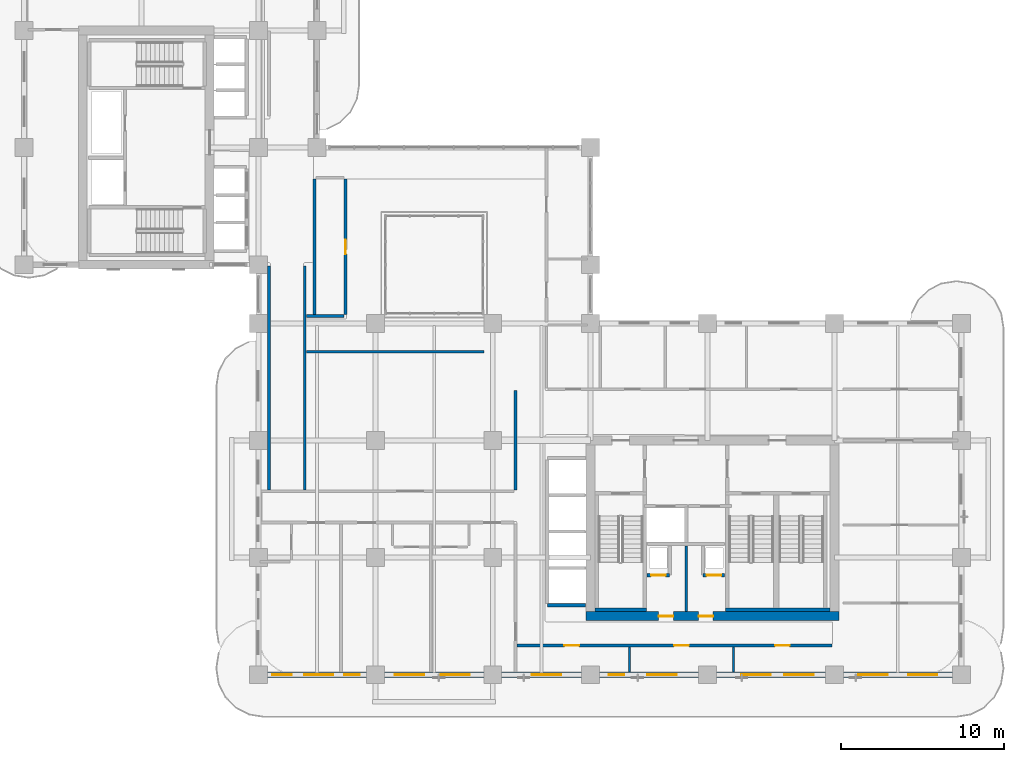
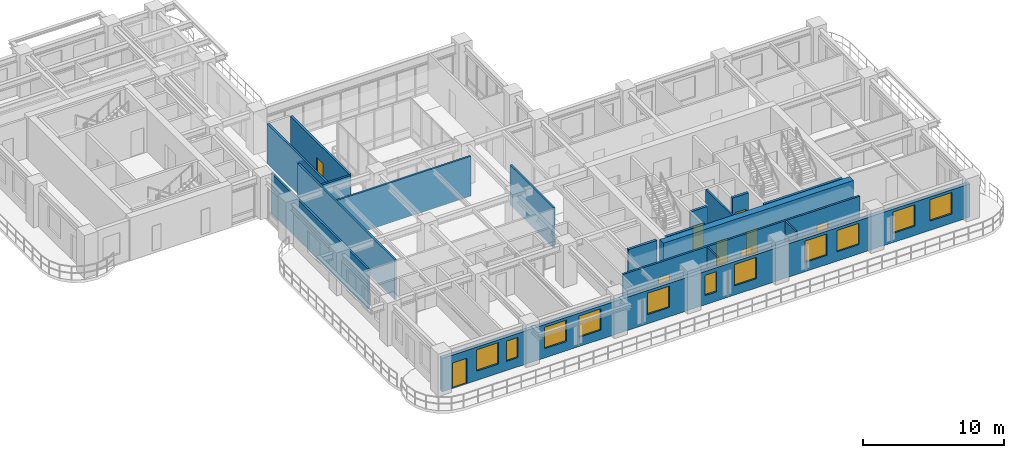
# One storey, part 13 of 22: 18 walls, 11 windows, 9 doors, 20 openings.
"""IFC4 building model written with IfcOpenShell, lengths in metres."""

from ifc_helpers import new_model, si_unit, derived_unit, direction, frame, frame_2d, origin, place, context, subcontext, project, spatial, rectangle, extrude, source, transform, mapped, material, layer, layer_set, type_object, type_shapes, element, fill, save


model = new_model("IFC4")

# Units and contexts
model_context = context("Model", 3, precision=1e-05, world=origin(), true_north=direction((0.0, 1.0)))
body_context = subcontext(model_context, "Body", "Model", "MODEL_VIEW")
ifc_project = project(units=[si_unit("LENGTHUNIT", "METRE"), si_unit("AREAUNIT", "SQUARE_METRE"), si_unit("VOLUMEUNIT", "CUBIC_METRE"), si_unit("PLANEANGLEUNIT", "RADIAN"), si_unit("MASSUNIT", "GRAM", prefix="KILO"), si_unit("THERMODYNAMICTEMPERATUREUNIT", "KELVIN"), si_unit("POWERUNIT", "WATT"), derived_unit("THERMALTRANSMITTANCEUNIT", [(si_unit("POWERUNIT", "WATT"), 1), (si_unit("AREAUNIT", "SQUARE_METRE"), -1), (si_unit("THERMODYNAMICTEMPERATUREUNIT", "KELVIN"), -1)])], contexts=[model_context])

# Site, building, storey
site_placement = place(None, origin())
site = spatial("IfcSite", under=ifc_project, at=site_placement, CompositionType="ELEMENT")
building_placement = place(site_placement, origin())
building = spatial("IfcBuilding", under=site, at=building_placement, Name="Zahravan Archway Hotel and Residences", CompositionType="ELEMENT")
storey_placement = place(building_placement, frame((0.0, 0.0, 76.800048828125)))
storey = spatial("IfcBuildingStorey", under=building, at=storey_placement, Name="L18", CompositionType="ELEMENT", Elevation=76.800048828125)

# Wall, openings, doors
ifc_material_1 = material(Name="Concrete C70/85", Category="concrete")
ifc_layer_1 = layer(ifc_material_1, 0.550048828125, Name="Concrete C70/85", Category="concrete")
ifc_layer_set_1 = layer_set([ifc_layer_1], Name="Concrete C70/85")
wall_type_1 = type_object("IfcWallType", Name="CW-CORE-550", PredefinedType="SHEAR", material=ifc_layer_set_1)
wall_1_placement = place(storey_placement, frame((34.52490234375, 3.60009765625, 0.0), z_axis=(0.0, 0.0, 1.0), x_axis=(1.0, 0.0, 0.0)))
wall_1 = element("IfcWall", 1, at=wall_1_placement, inside=storey, type_object=wall_type_1, Name="L18 Core A Shear S Wall 550 mm", PredefinedType="SHEAR", context=body_context, shape_type="SweptSolid", body=[
    extrude(rectangle(XDim=15.550048828125, YDim=0.550048828125, at=frame_2d((7.77490234375, 0.0))), origin(), (0.0, 0.0, 1.0), 3.699951171875),
])
opening_1_placement = place(wall_1_placement, frame((4.47509765625, 0.0, 0.0)))
opening_1 = element("IfcOpeningElement", 2, at=opening_1_placement, cuts=wall_1, Name="Opening FD-R1", PredefinedType="OPENING", context=body_context, shape_type="SweptSolid", body=[
    extrude(rectangle(XDim=0.89990234375, YDim=2.10009765625, at=frame_2d((0.449951171875, 1.050048828125))), frame((0.0, 0.28515625, 0.0), z_axis=(0.0, -1.0, 0.0), x_axis=(1.0, 0.0, 0.0)), (0.0, 0.0, 1.0), 0.570068359375),
])
opening_2_placement = place(wall_1_placement, frame((6.925048828125, 0.0, 0.0)))
opening_2 = element("IfcOpeningElement", 3, at=opening_2_placement, cuts=wall_1, Name="Opening FD-R1", PredefinedType="OPENING", context=body_context, shape_type="SweptSolid", body=[
    extrude(rectangle(XDim=0.89990234375, YDim=2.10009765625, at=frame_2d((0.449951171875, 1.050048828125))), frame((0.0, 0.28515625, 0.0), z_axis=(0.0, -1.0, 0.0), x_axis=(1.0, 0.0, 0.0)), (0.0, 0.0, 1.0), 0.570068359375),
])
ifc_material_2 = material(Name="Fire-Rated Painted Steel", Category="steel")
door_type_1 = type_object("IfcDoorType", Name="FD-RISER-900", OperationType="NOTDEFINED", PredefinedType="DOOR", material=ifc_material_2)
shared_shape_1 = source(origin(), body_context, "Body", "SweptSolid", [
    extrude(rectangle(XDim=0.89990234375, YDim=2.10009765625, at=frame_2d((0.449951171875, 1.050048828125))), frame((0.0, 0.02490234375, 0.0), z_axis=(0.0, -1.0, 0.0), x_axis=(1.0, 0.0, 0.0)), (0.0, 0.0, 1.0), 0.050048828125),
])
type_shapes(door_type_1, [shared_shape_1])
door_1_placement = place(opening_1_placement, origin())
door_1 = element("IfcDoor", 4, at=door_1_placement, inside=storey, type_object=door_type_1, Name="L18 Electrical Switchgear Door", OperationType="SINGLE_SWING_RIGHT", OverallHeight=2.10009765625, OverallWidth=0.89990234375, PredefinedType="DOOR", context=body_context, shape_type="MappedRepresentation", body=[
    mapped(shared_shape_1, transform((0.0, 0.0, 0.0), scale=1.0)),
])
fill(opening_1, door_1)
door_2_placement = place(opening_2_placement, origin())
door_2 = element("IfcDoor", 5, at=door_2_placement, inside=storey, type_object=door_type_1, Name="L18 Telecom BMS Door", OperationType="SINGLE_SWING_LEFT", OverallHeight=2.10009765625, OverallWidth=0.89990234375, PredefinedType="DOOR", context=body_context, shape_type="MappedRepresentation", body=[
    mapped(shared_shape_1, transform((0.0, 0.0, 0.0), scale=1.0)),
])
fill(opening_2, door_2)

# Wall, openings, door, windows
ifc_material_3 = material(Name="Agra Buff Sandstone & Insulated Backup", Category="masonry")
ifc_layer_2 = layer(ifc_material_3, 0.320068359375, Name="Agra Buff Sandstone & Insulated Backup", Category="masonry")
ifc_layer_set_2 = layer_set([ifc_layer_2], Name="Agra Buff Sandstone & Insulated Backup")
wall_type_2 = type_object("IfcWallType", Name="EW-SAND-320", PredefinedType="SOLIDWALL", material=ifc_layer_set_2)
wall_2_placement = place(storey_placement, frame((14.39990234375, 0.0, 0.0), z_axis=(0.0, 0.0, 1.0), x_axis=(1.0, 0.0, 0.0)))
wall_2 = element("IfcWall", 6, at=wall_2_placement, inside=storey, type_object=wall_type_2, Name="L18 Exterior Sandstone Wall WA-S", PredefinedType="SOLIDWALL", context=body_context, shape_type="SweptSolid", body=[
    extrude(rectangle(XDim=43.2001953125, YDim=0.320068359375, at=frame_2d((21.60009765625, 0.0))), origin(), (0.0, 0.0, 1.0), 2.885009765625),
])
opening_3_placement = place(wall_2_placement, frame((0.85009765625, 0.0, 0.0)))
opening_3 = element("IfcOpeningElement", 7, at=opening_3_placement, cuts=wall_2, Name="Opening ED-BL1", PredefinedType="OPENING", context=body_context, shape_type="SweptSolid", body=[
    extrude(rectangle(XDim=1.199951171875, YDim=2.199951171875, at=frame_2d((0.60009765625, 1.10009765625))), frame((0.0, 0.169921875, 0.0), z_axis=(0.0, -1.0, 0.0), x_axis=(1.0, 0.0, 0.0)), (0.0, 0.0, 1.0), 0.340087890625),
])
opening_4_placement = place(wall_2_placement, frame((2.81103515625, 0.0, 0.800048828125)))
opening_4 = element("IfcOpeningElement", 8, at=opening_4_placement, cuts=wall_2, Name="Opening W-02", PredefinedType="OPENING", context=body_context, shape_type="SweptSolid", body=[
    extrude(rectangle(XDim=1.800048828125, YDim=1.85009765625, at=frame_2d((0.89990234375, 0.925048828125))), frame((0.0, 0.169921875, 0.0), z_axis=(0.0, -1.0, 0.0), x_axis=(1.0, 0.0, 0.0)), (0.0, 0.0, 1.0), 0.340087890625),
])
opening_5_placement = place(wall_2_placement, frame((5.26904296875, 0.0, 0.800048828125)))
opening_5 = element("IfcOpeningElement", 9, at=opening_5_placement, cuts=wall_2, Name="Opening W-04", PredefinedType="OPENING", context=body_context, shape_type="SweptSolid", body=[
    extrude(rectangle(XDim=0.949951171875, YDim=1.75, at=frame_2d((0.47509765625, 0.875))), frame((0.0, 0.169921875, 0.0), z_axis=(0.0, -1.0, 0.0), x_axis=(1.0, 0.0, 0.0)), (0.0, 0.0, 1.0), 0.340087890625),
])
opening_6_placement = place(wall_2_placement, frame((8.388916015625, 0.0, 0.800048828125)))
opening_6 = element("IfcOpeningElement", 10, at=opening_6_placement, cuts=wall_2, Name="Opening W-02", PredefinedType="OPENING", context=body_context, shape_type="SweptSolid", body=[
    extrude(rectangle(XDim=1.800048828125, YDim=1.85009765625, at=frame_2d((0.89990234375, 0.925048828125))), frame((0.0, 0.169921875, 0.0), z_axis=(0.0, -1.0, 0.0), x_axis=(1.0, 0.0, 0.0)), (0.0, 0.0, 1.0), 0.340087890625),
])
opening_7_placement = place(wall_2_placement, frame((11.197021484375, 0.0, 0.800048828125)))
opening_7 = element("IfcOpeningElement", 11, at=opening_7_placement, cuts=wall_2, Name="Opening W-02", PredefinedType="OPENING", context=body_context, shape_type="SweptSolid", body=[
    extrude(rectangle(XDim=1.800048828125, YDim=1.85009765625, at=frame_2d((0.89990234375, 0.925048828125))), frame((0.0, 0.169921875, 0.0), z_axis=(0.0, -1.0, 0.0), x_axis=(1.0, 0.0, 0.0)), (0.0, 0.0, 1.0), 0.340087890625),
])
opening_8_placement = place(wall_2_placement, frame((16.803955078125, 0.0, 0.800048828125)))
opening_8 = element("IfcOpeningElement", 12, at=opening_8_placement, cuts=wall_2, Name="Opening W-02", PredefinedType="OPENING", context=body_context, shape_type="SweptSolid", body=[
    extrude(rectangle(XDim=1.800048828125, YDim=1.85009765625, at=frame_2d((0.89990234375, 0.925048828125))), frame((0.0, 0.169921875, 0.0), z_axis=(0.0, -1.0, 0.0), x_axis=(1.0, 0.0, 0.0)), (0.0, 0.0, 1.0), 0.340087890625),
])
opening_9_placement = place(wall_2_placement, frame((21.52099609375, 0.0, 0.800048828125)))
opening_9 = element("IfcOpeningElement", 13, at=opening_9_placement, cuts=wall_2, Name="Opening W-04", PredefinedType="OPENING", context=body_context, shape_type="SweptSolid", body=[
    extrude(rectangle(XDim=0.949951171875, YDim=1.75, at=frame_2d((0.47509765625, 0.875))), frame((0.0, 0.169921875, 0.0), z_axis=(0.0, -1.0, 0.0), x_axis=(1.0, 0.0, 0.0)), (0.0, 0.0, 1.0), 0.340087890625),
])
opening_10_placement = place(wall_2_placement, frame((23.904052734375, 0.0, 0.800048828125)))
opening_10 = element("IfcOpeningElement", 14, at=opening_10_placement, cuts=wall_2, Name="Opening W-02", PredefinedType="OPENING", context=body_context, shape_type="SweptSolid", body=[
    extrude(rectangle(XDim=1.800048828125, YDim=1.85009765625, at=frame_2d((0.89990234375, 0.925048828125))), frame((0.0, 0.169921875, 0.0), z_axis=(0.0, -1.0, 0.0), x_axis=(1.0, 0.0, 0.0)), (0.0, 0.0, 1.0), 0.340087890625),
])
opening_11_placement = place(wall_2_placement, frame((29.680908203125, 0.0, 0.800048828125)))
opening_11 = element("IfcOpeningElement", 15, at=opening_11_placement, cuts=wall_2, Name="Opening W-02", PredefinedType="OPENING", context=body_context, shape_type="SweptSolid", body=[
    extrude(rectangle(XDim=1.800048828125, YDim=1.85009765625, at=frame_2d((0.89990234375, 0.925048828125))), frame((0.0, 0.169921875, 0.0), z_axis=(0.0, -1.0, 0.0), x_axis=(1.0, 0.0, 0.0)), (0.0, 0.0, 1.0), 0.340087890625),
])
opening_12_placement = place(wall_2_placement, frame((32.326904296875, 0.0, 0.800048828125)))
opening_12 = element("IfcOpeningElement", 16, at=opening_12_placement, cuts=wall_2, Name="Opening W-02", PredefinedType="OPENING", context=body_context, shape_type="SweptSolid", body=[
    extrude(rectangle(XDim=1.800048828125, YDim=1.85009765625, at=frame_2d((0.89990234375, 0.925048828125))), frame((0.0, 0.169921875, 0.0), z_axis=(0.0, -1.0, 0.0), x_axis=(1.0, 0.0, 0.0)), (0.0, 0.0, 1.0), 0.340087890625),
])
opening_13_placement = place(wall_2_placement, frame((36.875, 0.0, 0.800048828125)))
opening_13 = element("IfcOpeningElement", 17, at=opening_13_placement, cuts=wall_2, Name="Opening W-02", PredefinedType="OPENING", context=body_context, shape_type="SweptSolid", body=[
    extrude(rectangle(XDim=1.800048828125, YDim=1.85009765625, at=frame_2d((0.89990234375, 0.925048828125))), frame((0.0, 0.169921875, 0.0), z_axis=(0.0, -1.0, 0.0), x_axis=(1.0, 0.0, 0.0)), (0.0, 0.0, 1.0), 0.340087890625),
])
opening_14_placement = place(wall_2_placement, frame((39.925048828125, 0.0, 0.800048828125)))
opening_14 = element("IfcOpeningElement", 18, at=opening_14_placement, cuts=wall_2, Name="Opening W-02", PredefinedType="OPENING", context=body_context, shape_type="SweptSolid", body=[
    extrude(rectangle(XDim=1.800048828125, YDim=1.85009765625, at=frame_2d((0.89990234375, 0.925048828125))), frame((0.0, 0.169921875, 0.0), z_axis=(0.0, -1.0, 0.0), x_axis=(1.0, 0.0, 0.0)), (0.0, 0.0, 1.0), 0.340087890625),
])
ifc_material_4 = material(Name="Bronze-Anodized Glazed Aluminium", Category="aluminium")
door_type_2 = type_object("IfcDoorType", Name="ED-BALC-1200", OperationType="SLIDING_TO_LEFT", PredefinedType="DOOR", material=ifc_material_4)
shared_shape_2 = source(origin(), body_context, "Body", "SweptSolid", [
    extrude(rectangle(XDim=1.199951171875, YDim=2.199951171875, at=frame_2d((0.60009765625, 1.10009765625))), frame((0.0, 0.02490234375, 0.0), z_axis=(0.0, -1.0, 0.0), x_axis=(1.0, 0.0, 0.0)), (0.0, 0.0, 1.0), 0.050048828125),
])
type_shapes(door_type_2, [shared_shape_2])
door_3_placement = place(opening_3_placement, origin())
door_3 = element("IfcDoor", 19, at=door_3_placement, inside=storey, type_object=door_type_2, Name="L18 Outdoor Access Sliding Door (SLB-BAL-L18-SA)", OperationType="SLIDING_TO_LEFT", OverallHeight=2.199951171875, OverallWidth=1.199951171875, PredefinedType="DOOR", context=body_context, shape_type="MappedRepresentation", body=[
    mapped(shared_shape_2, transform((0.0, 0.0, 0.0), scale=1.0)),
])
fill(opening_3, door_3)
ifc_material_5 = material(Name="Bronze-Anodized Thermal-Break Aluminium & Low-E Glass", Category="aluminium")
window_type_1 = type_object("IfcWindowType", Name="WIN-NAR-950", PartitioningType="SINGLE_PANEL", PredefinedType="WINDOW", material=ifc_material_5)
shared_shape_3 = source(origin(), body_context, "Body", "SweptSolid", [
    extrude(rectangle(XDim=0.949951171875, YDim=1.75, at=frame_2d((0.47509765625, 0.875))), frame((0.0, 0.030029296875, 0.0), z_axis=(0.0, -1.0, 0.0), x_axis=(1.0, 0.0, 0.0)), (0.0, 0.0, 1.0), 0.06005859375),
])
type_shapes(window_type_1, [shared_shape_3])
window_1_placement = place(opening_5_placement, origin())
window_1 = element("IfcWindow", 20, at=window_1_placement, inside=storey, type_object=window_type_1, Name="L18 Loggia Window 02", OverallHeight=1.75, OverallWidth=0.949951171875, PartitioningType="SINGLE_PANEL", PredefinedType="WINDOW", context=body_context, shape_type="MappedRepresentation", body=[
    mapped(shared_shape_3, transform((0.0, 0.0, 0.0), scale=1.0)),
])
fill(opening_5, window_1)
window_2_placement = place(opening_9_placement, origin())
window_2 = element("IfcWindow", 21, at=window_2_placement, inside=storey, type_object=window_type_1, Name="L18 Loggia Window 06", OverallHeight=1.75, OverallWidth=0.949951171875, PartitioningType="SINGLE_PANEL", PredefinedType="WINDOW", context=body_context, shape_type="MappedRepresentation", body=[
    mapped(shared_shape_3, transform((0.0, 0.0, 0.0), scale=1.0)),
])
fill(opening_9, window_2)
window_type_2 = type_object("IfcWindowType", Name="WIN-TWR-1800", PartitioningType="DOUBLE_PANEL_VERTICAL", PredefinedType="WINDOW", material=ifc_material_5)
shared_shape_4 = source(origin(), body_context, "Body", "SweptSolid", [
    extrude(rectangle(XDim=1.800048828125, YDim=1.85009765625, at=frame_2d((0.89990234375, 0.925048828125))), frame((0.0, 0.030029296875, 0.0), z_axis=(0.0, -1.0, 0.0), x_axis=(1.0, 0.0, 0.0)), (0.0, 0.0, 1.0), 0.06005859375),
])
type_shapes(window_type_2, [shared_shape_4])
window_3_placement = place(opening_4_placement, origin())
window_3 = element("IfcWindow", 22, at=window_3_placement, inside=storey, type_object=window_type_2, Name="L18 Loggia Window 01", OverallHeight=1.85009765625, OverallWidth=1.800048828125, PartitioningType="DOUBLE_PANEL_VERTICAL", PredefinedType="WINDOW", context=body_context, shape_type="MappedRepresentation", body=[
    mapped(shared_shape_4, transform((0.0, 0.0, 0.0), scale=1.0)),
])
fill(opening_4, window_3)
window_4_placement = place(opening_6_placement, origin())
window_4 = element("IfcWindow", 23, at=window_4_placement, inside=storey, type_object=window_type_2, Name="L18 Loggia Window 03", OverallHeight=1.85009765625, OverallWidth=1.800048828125, PartitioningType="DOUBLE_PANEL_VERTICAL", PredefinedType="WINDOW", context=body_context, shape_type="MappedRepresentation", body=[
    mapped(shared_shape_4, transform((0.0, 0.0, 0.0), scale=1.0)),
])
fill(opening_6, window_4)
window_5_placement = place(opening_7_placement, origin())
window_5 = element("IfcWindow", 24, at=window_5_placement, inside=storey, type_object=window_type_2, Name="L18 Loggia Window 04", OverallHeight=1.85009765625, OverallWidth=1.800048828125, PartitioningType="DOUBLE_PANEL_VERTICAL", PredefinedType="WINDOW", context=body_context, shape_type="MappedRepresentation", body=[
    mapped(shared_shape_4, transform((0.0, 0.0, 0.0), scale=1.0)),
])
fill(opening_7, window_5)
window_6_placement = place(opening_8_placement, origin())
window_6 = element("IfcWindow", 25, at=window_6_placement, inside=storey, type_object=window_type_2, Name="L18 Loggia Window 05", OverallHeight=1.85009765625, OverallWidth=1.800048828125, PartitioningType="DOUBLE_PANEL_VERTICAL", PredefinedType="WINDOW", context=body_context, shape_type="MappedRepresentation", body=[
    mapped(shared_shape_4, transform((0.0, 0.0, 0.0), scale=1.0)),
])
fill(opening_8, window_6)
window_7_placement = place(opening_10_placement, origin())
window_7 = element("IfcWindow", 26, at=window_7_placement, inside=storey, type_object=window_type_2, Name="L18 Loggia Window 07", OverallHeight=1.85009765625, OverallWidth=1.800048828125, PartitioningType="DOUBLE_PANEL_VERTICAL", PredefinedType="WINDOW", context=body_context, shape_type="MappedRepresentation", body=[
    mapped(shared_shape_4, transform((0.0, 0.0, 0.0), scale=1.0)),
])
fill(opening_10, window_7)
window_8_placement = place(opening_11_placement, origin())
window_8 = element("IfcWindow", 27, at=window_8_placement, inside=storey, type_object=window_type_2, Name="L18 Loggia Window 08", OverallHeight=1.85009765625, OverallWidth=1.800048828125, PartitioningType="DOUBLE_PANEL_VERTICAL", PredefinedType="WINDOW", context=body_context, shape_type="MappedRepresentation", body=[
    mapped(shared_shape_4, transform((0.0, 0.0, 0.0), scale=1.0)),
])
fill(opening_11, window_8)
window_9_placement = place(opening_12_placement, origin())
window_9 = element("IfcWindow", 28, at=window_9_placement, inside=storey, type_object=window_type_2, Name="L18 Loggia Window 09", OverallHeight=1.85009765625, OverallWidth=1.800048828125, PartitioningType="DOUBLE_PANEL_VERTICAL", PredefinedType="WINDOW", context=body_context, shape_type="MappedRepresentation", body=[
    mapped(shared_shape_4, transform((0.0, 0.0, 0.0), scale=1.0)),
])
fill(opening_12, window_9)
window_10_placement = place(opening_13_placement, origin())
window_10 = element("IfcWindow", 29, at=window_10_placement, inside=storey, type_object=window_type_2, Name="L18 Loggia Window 10", OverallHeight=1.85009765625, OverallWidth=1.800048828125, PartitioningType="DOUBLE_PANEL_VERTICAL", PredefinedType="WINDOW", context=body_context, shape_type="MappedRepresentation", body=[
    mapped(shared_shape_4, transform((0.0, 0.0, 0.0), scale=1.0)),
])
fill(opening_13, window_10)
window_11_placement = place(opening_14_placement, origin())
window_11 = element("IfcWindow", 30, at=window_11_placement, inside=storey, type_object=window_type_2, Name="L18 Loggia Window 11", OverallHeight=1.85009765625, OverallWidth=1.800048828125, PartitioningType="DOUBLE_PANEL_VERTICAL", PredefinedType="WINDOW", context=body_context, shape_type="MappedRepresentation", body=[
    mapped(shared_shape_4, transform((0.0, 0.0, 0.0), scale=1.0)),
])
fill(opening_14, window_11)

# Wall
ifc_material_6 = material(Name="Fire-Rated Gypsum & Concrete Block", Category="concrete")
ifc_layer_3 = layer(ifc_material_6, 0.159912109375, Name="Fire-Rated Gypsum & Concrete Block", Category="concrete")
ifc_layer_set_3 = layer_set([ifc_layer_3], Name="Fire-Rated Gypsum & Concrete Block")
wall_type_3 = type_object("IfcWallType", Name="PW-CORR-160", PredefinedType="PARTITIONING", material=ifc_layer_set_3)
wall_3_placement = place(storey_placement, frame((30.199951171875, 11.360107421875, 0.0), z_axis=(0.0, 0.0, 1.0), x_axis=(0.0, 1.0, 0.0)))
element("IfcWall", 31, at=wall_3_placement, inside=storey, type_object=wall_type_3, Name="L18 Partition WA-FW", PredefinedType="PARTITIONING", context=body_context, shape_type="SweptSolid", body=[
    extrude(rectangle(XDim=6.099853515625, YDim=0.159912109375, at=frame_2d((3.0498046875, 0.0))), origin(), (0.0, 0.0, 1.0), 3.449951171875),
])

# Wall, openings, doors
wall_4_placement = place(storey_placement, frame((30.2900390625, 1.800048828125, 0.0), z_axis=(0.0, 0.0, 1.0), x_axis=(1.0, 0.0, 0.0)))
wall_4 = element("IfcWall", 32, at=wall_4_placement, inside=storey, type_object=wall_type_3, Name="L18 Partition WA-SRS", PredefinedType="PARTITIONING", context=body_context, shape_type="SweptSolid", body=[
    extrude(rectangle(XDim=19.369873046875, YDim=0.159912109375, at=frame_2d((9.68505859375, 0.0))), origin(), (0.0, 0.0, 1.0), 3.449951171875),
])
opening_15_placement = place(wall_4_placement, frame((2.916259765625, 0.0, 0.0)))
opening_15 = element("IfcOpeningElement", 33, at=opening_15_placement, cuts=wall_4, Name="Opening D-I2", PredefinedType="OPENING", context=body_context, shape_type="SweptSolid", body=[
    extrude(rectangle(XDim=0.89990234375, YDim=2.14990234375, at=frame_2d((0.449951171875, 1.074951171875))), frame((0.0, 0.08984375, 0.0), z_axis=(0.0, -1.0, 0.0), x_axis=(1.0, 0.0, 0.0)), (0.0, 0.0, 1.0), 0.179931640625),
])
opening_16_placement = place(wall_4_placement, frame((9.659912109375, 0.0, 0.0)))
opening_16 = element("IfcOpeningElement", 34, at=opening_16_placement, cuts=wall_4, Name="Opening D-I2", PredefinedType="OPENING", context=body_context, shape_type="SweptSolid", body=[
    extrude(rectangle(XDim=0.89990234375, YDim=2.14990234375, at=frame_2d((0.449951171875, 1.074951171875))), frame((0.0, 0.08984375, 0.0), z_axis=(0.0, -1.0, 0.0), x_axis=(1.0, 0.0, 0.0)), (0.0, 0.0, 1.0), 0.179931640625),
])
opening_17_placement = place(wall_4_placement, frame((15.860107421875, 0.0, 0.0)))
opening_17 = element("IfcOpeningElement", 35, at=opening_17_placement, cuts=wall_4, Name="Opening D-I2", PredefinedType="OPENING", context=body_context, shape_type="SweptSolid", body=[
    extrude(rectangle(XDim=0.89990234375, YDim=2.14990234375, at=frame_2d((0.449951171875, 1.074951171875))), frame((0.0, 0.08984375, 0.0), z_axis=(0.0, -1.0, 0.0), x_axis=(1.0, 0.0, 0.0)), (0.0, 0.0, 1.0), 0.179931640625),
])
ifc_material_7 = material(Name="Hardwood Veneer Timber", Category="wood")
door_type_3 = type_object("IfcDoorType", Name="ID-INT-900", OperationType="NOTDEFINED", PredefinedType="DOOR", material=ifc_material_7)
shared_shape_5 = source(origin(), body_context, "Body", "SweptSolid", [
    extrude(rectangle(XDim=0.89990234375, YDim=2.14990234375, at=frame_2d((0.449951171875, 1.074951171875))), frame((0.0, 0.02490234375, 0.0), z_axis=(0.0, -1.0, 0.0), x_axis=(1.0, 0.0, 0.0)), (0.0, 0.0, 1.0), 0.050048828125),
])
type_shapes(door_type_3, [shared_shape_5])
door_4_placement = place(opening_15_placement, origin())
door_4 = element("IfcDoor", 36, at=door_4_placement, inside=storey, type_object=door_type_3, Name="L18 South Office Door", OperationType="SINGLE_SWING_RIGHT", OverallHeight=2.14990234375, OverallWidth=0.89990234375, PredefinedType="DOOR", context=body_context, shape_type="MappedRepresentation", body=[
    mapped(shared_shape_5, transform((0.0, 0.0, 0.0), scale=1.0)),
])
fill(opening_15, door_4)
door_5_placement = place(opening_16_placement, origin())
door_5 = element("IfcDoor", 37, at=door_5_placement, inside=storey, type_object=door_type_3, Name="L18 South Meeting Door", OperationType="SINGLE_SWING_LEFT", OverallHeight=2.14990234375, OverallWidth=0.89990234375, PredefinedType="DOOR", context=body_context, shape_type="MappedRepresentation", body=[
    mapped(shared_shape_5, transform((0.0, 0.0, 0.0), scale=1.0)),
])
fill(opening_16, door_5)
door_6_placement = place(opening_17_placement, origin())
door_6 = element("IfcDoor", 38, at=door_6_placement, inside=storey, type_object=door_type_3, Name="L18 South Prayer Alcove Door", OperationType="SINGLE_SWING_RIGHT", OverallHeight=2.14990234375, OverallWidth=0.89990234375, PredefinedType="DOOR", context=body_context, shape_type="MappedRepresentation", body=[
    mapped(shared_shape_5, transform((0.0, 0.0, 0.0), scale=1.0)),
])
fill(opening_17, door_6)

# Walls
for number, where, z_axis, x_axis, name in (
    (39, (15.050048828125, 11.360107421875, 0.0), (0.0, 0.0, 1.0), (0.0, 1.0, 0.0), "L18 Partition LNK-W"),
    (40, (17.25, 11.360107421875, 0.0), (0.0, 0.0, 1.0), (0.0, 1.0, 0.0), "L18 Partition LNK-E"),
):
    element("IfcWall", number, at=place(storey_placement, frame(where, z_axis=z_axis, x_axis=x_axis)), inside=storey, type_object=wall_type_3, Name=name, PredefinedType="PARTITIONING", context=body_context, shape_type="SweptSolid", body=[
        extrude(rectangle(XDim=13.75, YDim=0.159912109375, at=frame_2d((6.875, 0.0))), origin(), (0.0, 0.0, 1.0), 3.449951171875),
    ])
wall_5_placement = place(storey_placement, frame((17.340087890625, 19.85009765625, 0.0), z_axis=(0.0, 0.0, 1.0), x_axis=(1.0, 0.0, 0.0)))
element("IfcWall", 41, at=wall_5_placement, inside=storey, type_object=wall_type_3, Name="L18 Partition ATR-S", PredefinedType="PARTITIONING", context=body_context, shape_type="SweptSolid", body=[
    extrude(rectangle(XDim=10.919921875, YDim=0.159912109375, at=frame_2d((5.4599609375, 0.0))), origin(), (0.0, 0.0, 1.0), 3.449951171875),
])
ifc_material_8 = material(Name="Acoustic Stud Partition")
ifc_layer_4 = layer(ifc_material_8, 0.125, Name="Acoustic Stud Partition")
ifc_layer_set_4 = layer_set([ifc_layer_4], Name="Acoustic Stud Partition")
wall_type_4 = type_object("IfcWallType", Name="PW-INT-125", PredefinedType="PARTITIONING", material=ifc_layer_set_4)
for number, where, z_axis, x_axis, name in (
    (42, (37.199951171875, 0.16796875, 0.0), (0.0, 0.0, 1.0), (0.0, 1.0, 0.0), "L18 Partition S-DIV2A"),
    (43, (43.60009765625, 0.16796875, 0.0), (0.0, 0.0, 1.0), (0.0, 1.0, 0.0), "L18 Partition S-DIV2B"),
):
    element("IfcWall", number, at=place(storey_placement, frame(where, z_axis=z_axis, x_axis=x_axis)), inside=storey, type_object=wall_type_4, Name=name, PredefinedType="PARTITIONING", context=body_context, shape_type="SweptSolid", body=[
        extrude(rectangle(XDim=1.5419921875, YDim=0.125, at=frame_2d((0.77099609375, 0.0))), origin(), (0.0, 0.0, 1.0), 3.449951171875),
    ])

# Wall, opening, door
ifc_layer_5 = layer(ifc_material_6, 0.199951171875, Name="Fire-Rated Gypsum & Concrete Block", Category="concrete")
ifc_layer_set_5 = layer_set([ifc_layer_5], Name="Fire-Rated Gypsum & Concrete Block")
wall_type_5 = type_object("IfcWallType", Name="PW-SHAFT-200", PredefinedType="PARTITIONING", material=ifc_layer_set_5)
wall_6_placement = place(storey_placement, frame((38.2900390625, 6.1201171875, 0.0), z_axis=(0.0, 0.0, 1.0), x_axis=(1.0, 0.0, 0.0)))
wall_6 = element("IfcWall", 44, at=wall_6_placement, inside=storey, type_object=wall_type_5, Name="L18 Partition CA-SMKS", PredefinedType="PARTITIONING", context=body_context, shape_type="SweptSolid", body=[
    extrude(rectangle(XDim=1.3798828125, YDim=0.199951171875, at=frame_2d((0.68994140625, 0.0))), origin(), (0.0, 0.0, 1.0), 3.449951171875),
])
opening_18_placement = place(wall_6_placement, frame((0.239990234375, 0.0, 0.0)))
opening_18 = element("IfcOpeningElement", 45, at=opening_18_placement, cuts=wall_6, Name="Opening FD-R1", PredefinedType="OPENING", context=body_context, shape_type="SweptSolid", body=[
    extrude(rectangle(XDim=0.89990234375, YDim=2.10009765625, at=frame_2d((0.449951171875, 1.050048828125))), frame((0.0, 0.10986328125, 0.0), z_axis=(0.0, -1.0, 0.0), x_axis=(1.0, 0.0, 0.0)), (0.0, 0.0, 1.0), 0.219970703125),
])
door_7_placement = place(opening_18_placement, origin())
door_7 = element("IfcDoor", 46, at=door_7_placement, inside=storey, type_object=door_type_1, Name="L18 Smoke Riser Access Door", OperationType="SINGLE_SWING_RIGHT", OverallHeight=2.10009765625, OverallWidth=0.89990234375, PredefinedType="DOOR", context=body_context, shape_type="MappedRepresentation", body=[
    mapped(shared_shape_1, transform((0.0, 0.0, 0.0), scale=1.0)),
])
fill(opening_18, door_7)

wall_7_placement = place(storey_placement, frame((41.72998046875, 6.1201171875, 0.0), z_axis=(0.0, 0.0, 1.0), x_axis=(1.0, 0.0, 0.0)))
wall_7 = element("IfcWall", 47, at=wall_7_placement, inside=storey, type_object=wall_type_5, Name="L18 Partition CA-MEPS", PredefinedType="PARTITIONING", context=body_context, shape_type="SweptSolid", body=[
    extrude(rectangle(XDim=1.320068359375, YDim=0.199951171875, at=frame_2d((0.66015625, 0.0))), origin(), (0.0, 0.0, 1.0), 3.449951171875),
])
opening_19_placement = place(wall_7_placement, frame((0.219970703125, 0.0, 0.0)))
opening_19 = element("IfcOpeningElement", 48, at=opening_19_placement, cuts=wall_7, Name="Opening FD-R1", PredefinedType="OPENING", context=body_context, shape_type="SweptSolid", body=[
    extrude(rectangle(XDim=0.89990234375, YDim=2.10009765625, at=frame_2d((0.449951171875, 1.050048828125))), frame((0.0, 0.10986328125, 0.0), z_axis=(0.0, -1.0, 0.0), x_axis=(1.0, 0.0, 0.0)), (0.0, 0.0, 1.0), 0.219970703125),
])
door_8_placement = place(opening_19_placement, origin())
door_8 = element("IfcDoor", 49, at=door_8_placement, inside=storey, type_object=door_type_1, Name="L18 MEP Riser Access Door", OperationType="SINGLE_SWING_LEFT", OverallHeight=2.10009765625, OverallWidth=0.89990234375, PredefinedType="DOOR", context=body_context, shape_type="MappedRepresentation", body=[
    mapped(shared_shape_1, transform((0.0, 0.0, 0.0), scale=1.0)),
])
fill(opening_19, door_8)

# Walls
wall_8_placement = place(storey_placement, frame((32.159912109375, 4.280029296875, 0.0), z_axis=(0.0, 0.0, 1.0), x_axis=(1.0, 0.0, 0.0)))
element("IfcWall", 50, at=wall_8_placement, inside=storey, type_object=wall_type_5, Name="L18 Partition B3-S", PredefinedType="PARTITIONING", context=body_context, shape_type="SweptSolid", body=[
    extrude(rectangle(XDim=2.335205078125, YDim=0.199951171875, at=frame_2d((1.16748046875, 0.0))), origin(), (0.0, 0.0, 1.0), 3.449951171875),
])
ifc_layer_6 = layer(ifc_material_8, 0.169921875, Name="Acoustic Stud Partition")
ifc_layer_set_6 = layer_set([ifc_layer_6], Name="Acoustic Stud Partition")
wall_type_6 = type_object("IfcWallType", Name="PW-UNIT-170", PredefinedType="PARTITIONING", material=ifc_layer_set_6)
wall_9_placement = place(storey_placement, frame((17.340087890625, 22.050048828125, 0.0), z_axis=(0.0, 0.0, 1.0), x_axis=(1.0, 0.0, 0.0)))
element("IfcWall", 51, at=wall_9_placement, inside=storey, type_object=wall_type_6, Name="L18 Partition ATR-WLS", PredefinedType="PARTITIONING", context=body_context, shape_type="SweptSolid", body=[
    extrude(rectangle(XDim=2.31982421875, YDim=0.169921875, at=frame_2d((1.159912109375, 0.0))), origin(), (0.0, 0.0, 1.0), 3.449951171875),
])
wall_10_placement = place(storey_placement, frame((17.85009765625, 22.139892578125, 0.0), z_axis=(0.0, 0.0, 1.0), x_axis=(0.0, 1.0, 0.0)))
element("IfcWall", 52, at=wall_10_placement, inside=storey, type_object=wall_type_6, Name="L18 Partition ATR-WLW", PredefinedType="PARTITIONING", context=body_context, shape_type="SweptSolid", body=[
    extrude(rectangle(XDim=8.320068359375, YDim=0.169921875, at=frame_2d((4.16015625, 0.0))), origin(), (0.0, 0.0, 1.0), 3.449951171875),
])

# Wall, opening, door
wall_11_placement = place(storey_placement, frame((19.75, 22.139892578125, 0.0), z_axis=(0.0, 0.0, 1.0), x_axis=(0.0, 1.0, 0.0)))
wall_11 = element("IfcWall", 53, at=wall_11_placement, inside=storey, type_object=wall_type_6, Name="L18 Partition ATR-WL", PredefinedType="PARTITIONING", context=body_context, shape_type="SweptSolid", body=[
    extrude(rectangle(XDim=8.320068359375, YDim=0.169921875, at=frame_2d((4.16015625, 0.0))), origin(), (0.0, 0.0, 1.0), 3.449951171875),
])
opening_20_placement = place(wall_11_placement, frame((3.7099609375, 0.0, 0.0)))
opening_20 = element("IfcOpeningElement", 54, at=opening_20_placement, cuts=wall_11, Name="Opening D-I2", PredefinedType="OPENING", context=body_context, shape_type="SweptSolid", body=[
    extrude(rectangle(XDim=0.89990234375, YDim=2.14990234375, at=frame_2d((0.449951171875, 1.074951171875))), frame((0.0, 0.094970703125, 0.0), z_axis=(0.0, -1.0, 0.0), x_axis=(1.0, 0.0, 0.0)), (0.0, 0.0, 1.0), 0.18994140625),
])
door_9_placement = place(opening_20_placement, origin())
door_9 = element("IfcDoor", 55, at=door_9_placement, inside=storey, type_object=door_type_3, Name="L18 Atrium West Alcove Door", OperationType="SINGLE_SWING_RIGHT", OverallHeight=2.14990234375, OverallWidth=0.89990234375, PredefinedType="DOOR", context=body_context, shape_type="MappedRepresentation", body=[
    mapped(shared_shape_5, transform((0.0, 0.0, 0.0), scale=1.0)),
])
fill(opening_20, door_9)

# Walls
ifc_material_9 = material(Name="Moisture-Resistant Blockwork", Category="masonry")
ifc_layer_7 = layer(ifc_material_9, 0.139892578125, Name="Moisture-Resistant Blockwork", Category="masonry")
ifc_layer_set_7 = layer_set([ifc_layer_7], Name="Moisture-Resistant Blockwork")
wall_type_7 = type_object("IfcWallType", Name="PW-WET-140", PredefinedType="PARTITIONING", material=ifc_layer_set_7)
wall_12_placement = place(storey_placement, frame((40.699951171875, 3.89501953125, 0.0), z_axis=(0.0, 0.0, 1.0), x_axis=(0.0, 1.0, 0.0)))
element("IfcWall", 56, at=wall_12_placement, inside=storey, type_object=wall_type_7, Name="L18 Partition CA-CV0", PredefinedType="PARTITIONING", context=body_context, shape_type="SweptSolid", body=[
    extrude(rectangle(XDim=4.014892578125, YDim=0.139892578125, at=frame_2d((2.00732421875, 0.0))), origin(), (0.0, 0.0, 1.0), 3.449951171875),
])
ifc_material_10 = material(Name="Concrete C50/60", Category="concrete")
ifc_layer_8 = layer(ifc_material_10, 0.199951171875, Name="Concrete C50/60", Category="concrete")
ifc_layer_set_8 = layer_set([ifc_layer_8], Name="Concrete C50/60")
wall_type_8 = type_object("IfcWallType", Name="SW-STAIR-200", PredefinedType="SHEAR", material=ifc_layer_set_8)
wall_13_placement = place(storey_placement, frame((35.074951171875, 4.0, 0.0), z_axis=(0.0, 0.0, 1.0), x_axis=(1.0, 0.0, 0.0)))
element("IfcWall", 57, at=wall_13_placement, inside=storey, type_object=wall_type_8, Name="L18 Stairwell RC Wall CA-SA1S", PredefinedType="SHEAR", context=body_context, shape_type="SweptSolid", body=[
    extrude(rectangle(XDim=3.1650390625, YDim=0.199951171875, at=frame_2d((1.58251953125, 0.0))), origin(), (0.0, 0.0, 1.0), 3.699951171875),
])
wall_14_placement = place(storey_placement, frame((43.1201171875, 4.0, 0.0), z_axis=(0.0, 0.0, 1.0), x_axis=(1.0, 0.0, 0.0)))
element("IfcWall", 58, at=wall_14_placement, inside=storey, type_object=wall_type_8, Name="L18 Stairwell RC Wall CA-SA23S", PredefinedType="SHEAR", context=body_context, shape_type="SweptSolid", body=[
    extrude(rectangle(XDim=6.40478515625, YDim=0.199951171875, at=frame_2d((3.202392578125, 0.0))), origin(), (0.0, 0.0, 1.0), 3.699951171875),
])

save(model, "model.ifc")
